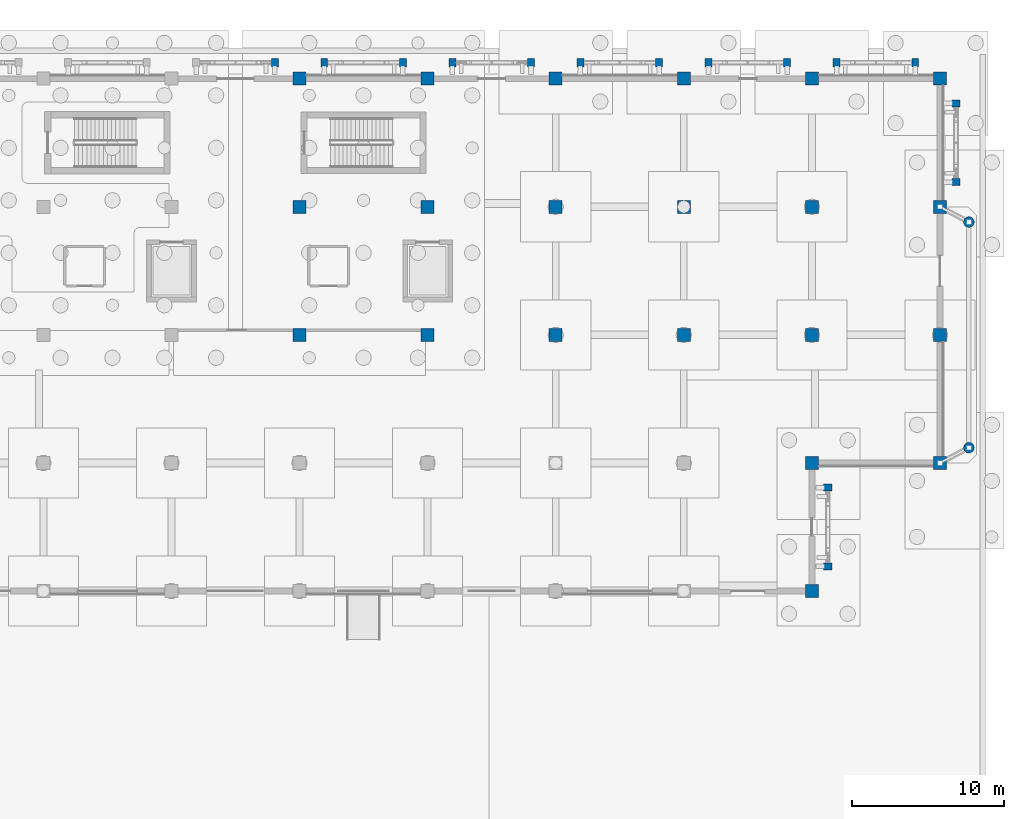
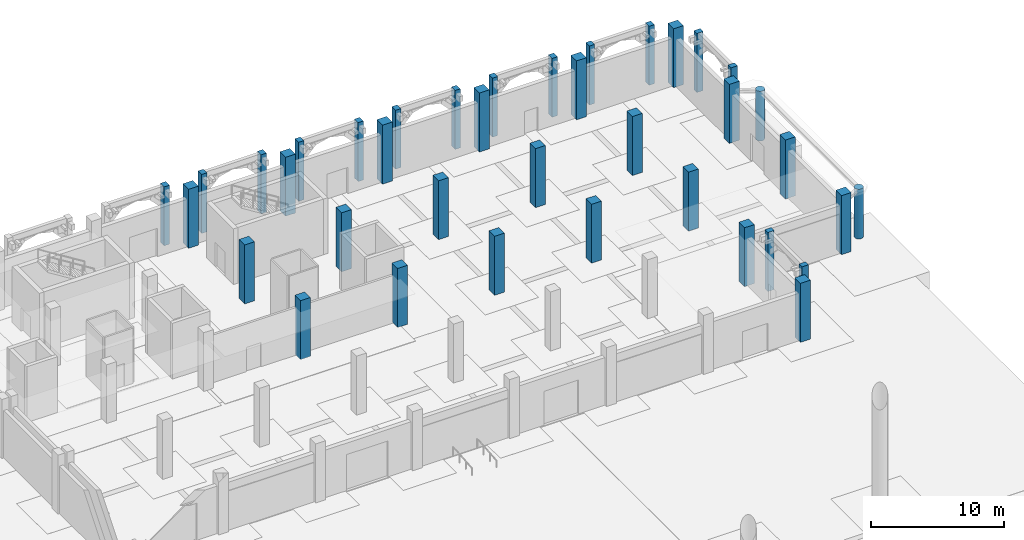
# One storey, part 11 of 98: 38 columns.
"""IFC4 building model written with IfcOpenShell, lengths in metres."""

from ifc_helpers import new_model, si_unit, direction, frame, origin, origin_2d, place, context, subcontext, project, spatial, rectangle, circle, extrude, material, material_profile, profile_set, type_object, element, save


model = new_model("IFC4")

# Units and contexts
model_context = context("Model", 3, precision=1e-05, world=origin(), true_north=direction((0.0, 1.0)))
body_context = subcontext(model_context, "Body", "Model", "MODEL_VIEW")
ifc_project = project(units=[si_unit("LENGTHUNIT", "METRE"), si_unit("AREAUNIT", "SQUARE_METRE"), si_unit("VOLUMEUNIT", "CUBIC_METRE"), si_unit("PLANEANGLEUNIT", "RADIAN"), si_unit("MASSUNIT", "GRAM", prefix="KILO")], contexts=[model_context])

# Site, building, storey
site_placement = place(None, origin())
site = spatial("IfcSite", under=ifc_project, at=site_placement, CompositionType="ELEMENT")
building_placement = place(site_placement, origin())
building = spatial("IfcBuilding", under=site, at=building_placement, Name="Xazarin Passage Department Store", CompositionType="ELEMENT")
storey_placement = place(building_placement, origin())
storey = spatial("IfcBuildingStorey", under=building, at=storey_placement, Name="L00", CompositionType="ELEMENT", Elevation=0.0)

# Columns
ifc_material = material(Name="Concrete C40/50", Category="concrete")
ifc_material_profile_1 = material_profile(ifc_material, circle(Radius=0.35009765625, at=origin_2d()), Name="RCD 700")
ifc_profile_set_1 = profile_set([ifc_material_profile_1], Name="Concrete C40/50")
column_type_1 = type_object("IfcColumnType", Name="STR-COL-CAN700", PredefinedType="COLUMN", material=ifc_profile_set_1)
for number, where, z_axis, x_axis, name in (
    (1, (171.5, 85.800048828125, 0.0), (0.0, 0.0, 1.0), (1.0, 0.0, 0.0), "Entrance Canopy Column CN3-3"),
    (2, (171.5, 100.60009765625, 0.0), (0.0, 0.0, 1.0), (1.0, 0.0, 0.0), "Entrance Canopy Column CN3-4"),
):
    element("IfcColumn", number, at=place(storey_placement, frame(where, z_axis=z_axis, x_axis=x_axis)), inside=storey, type_object=column_type_1, Name=name, PredefinedType="COLUMN", context=body_context, shape_type="SweptSolid", body=[
        extrude(circle(Radius=0.35009765625, at=origin_2d()), origin(), (0.0, 0.0, 1.0), 4.550048828125),
    ])
ifc_material_profile_2 = material_profile(ifc_material, rectangle(XDim=0.85009765625, YDim=0.85009765625, at=origin_2d()), Name="RC 850x850")
ifc_profile_set_2 = profile_set([ifc_material_profile_2], Name="Concrete C40/50")
column_type_2 = type_object("IfcColumnType", Name="STR-COL-RC850", PredefinedType="COLUMN", material=ifc_profile_set_2)
for number, where, z_axis, x_axis, name in (
    (3, (161.199951171875, 76.39990234375, 0.0), (0.0, 0.0, 1.0), (1.0, 0.0, 0.0), "L00 Column 22/L"),
    (4, (161.199951171875, 84.800048828125, 0.0), (0.0, 0.0, 1.0), (1.0, 0.0, 0.0), "L00 Column 22/M"),
    (5, (169.60009765625, 84.800048828125, 0.0), (0.0, 0.0, 1.0), (1.0, 0.0, 0.0), "L00 Column 23/M"),
    (6, (127.60009765625, 93.199951171875, 0.0), (0.0, 0.0, 1.0), (1.0, 0.0, 0.0), "L00 Column 18/N"),
    (7, (136.0, 93.199951171875, 0.0), (0.0, 0.0, 1.0), (1.0, 0.0, 0.0), "L00 Column 19/N"),
    (8, (144.39990234375, 93.199951171875, 0.0), (0.0, 0.0, 1.0), (1.0, 0.0, 0.0), "L00 Column 20/N"),
    (9, (152.800048828125, 93.199951171875, 0.0), (0.0, 0.0, 1.0), (1.0, 0.0, 0.0), "L00 Column 21/N"),
    (10, (161.199951171875, 93.199951171875, 0.0), (0.0, 0.0, 1.0), (1.0, 0.0, 0.0), "L00 Column 22/N"),
    (11, (169.60009765625, 93.199951171875, 0.0), (0.0, 0.0, 1.0), (1.0, 0.0, 0.0), "L00 Column 23/N"),
    (12, (127.60009765625, 101.60009765625, 0.0), (0.0, 0.0, 1.0), (1.0, 0.0, 0.0), "L00 Column 18/P"),
    (13, (136.0, 101.60009765625, 0.0), (0.0, 0.0, 1.0), (1.0, 0.0, 0.0), "L00 Column 19/P"),
    (14, (144.39990234375, 101.60009765625, 0.0), (0.0, 0.0, 1.0), (1.0, 0.0, 0.0), "L00 Column 20/P"),
    (15, (152.800048828125, 101.60009765625, 0.0), (0.0, 0.0, 1.0), (1.0, 0.0, 0.0), "L00 Column 21/P"),
    (16, (161.199951171875, 101.60009765625, 0.0), (0.0, 0.0, 1.0), (1.0, 0.0, 0.0), "L00 Column 22/P"),
    (17, (169.60009765625, 101.60009765625, 0.0), (0.0, 0.0, 1.0), (1.0, 0.0, 0.0), "L00 Column 23/P"),
    (18, (127.60009765625, 110.0, 0.0), (0.0, 0.0, 1.0), (1.0, 0.0, 0.0), "L00 Column 18/Q"),
    (19, (136.0, 110.0, 0.0), (0.0, 0.0, 1.0), (1.0, 0.0, 0.0), "L00 Column 19/Q"),
    (20, (144.39990234375, 110.0, 0.0), (0.0, 0.0, 1.0), (1.0, 0.0, 0.0), "L00 Column 20/Q"),
    (21, (152.800048828125, 110.0, 0.0), (0.0, 0.0, 1.0), (1.0, 0.0, 0.0), "L00 Column 21/Q"),
    (22, (161.199951171875, 110.0, 0.0), (0.0, 0.0, 1.0), (1.0, 0.0, 0.0), "L00 Column 22/Q"),
    (23, (169.60009765625, 110.0, 0.0), (0.0, 0.0, 1.0), (1.0, 0.0, 0.0), "L00 Column 23/Q"),
):
    element("IfcColumn", number, at=place(storey_placement, frame(where, z_axis=z_axis, x_axis=x_axis)), inside=storey, type_object=column_type_2, Name=name, PredefinedType="COLUMN", context=body_context, shape_type="SweptSolid", body=[
        extrude(rectangle(XDim=0.85009765625, YDim=0.85009765625, at=origin_2d()), origin(), (0.0, 0.0, 1.0), 5.39990234375),
    ])
ifc_material_profile_3 = material_profile(ifc_material, rectangle(XDim=0.449951171875, YDim=0.550048828125, at=origin_2d()), Name="RC 450x550")
ifc_profile_set_3 = profile_set([ifc_material_profile_3], Name="Concrete C40/50")
column_type_3 = type_object("IfcColumnType", Name="STR-PIL-RC450", PredefinedType="PILASTER", material=ifc_profile_set_3)
for number, where, z_axis, x_axis, name in (
    (24, (125.97998046875, 111.050048828125, 0.0), (0.0, 0.0, 1.0), (1.0, 0.0, 0.0), "L00 V4 Pierced-Arch Colonnade Pier 042R"),
    (25, (129.219970703125, 111.050048828125, 0.0), (0.0, 0.0, 1.0), (1.0, 0.0, 0.0), "L00 V4 Pierced-Arch Colonnade Pier 043L"),
    (26, (134.3798828125, 111.050048828125, 0.0), (0.0, 0.0, 1.0), (1.0, 0.0, 0.0), "L00 V4 Pierced-Arch Colonnade Pier 043R"),
    (27, (137.6201171875, 111.050048828125, 0.0), (0.0, 0.0, 1.0), (1.0, 0.0, 0.0), "L00 V4 Pierced-Arch Colonnade Pier 044L"),
    (28, (142.780029296875, 111.050048828125, 0.0), (0.0, 0.0, 1.0), (1.0, 0.0, 0.0), "L00 V4 Pierced-Arch Colonnade Pier 044R"),
    (29, (146.02001953125, 111.050048828125, 0.0), (0.0, 0.0, 1.0), (1.0, 0.0, 0.0), "L00 V4 Pierced-Arch Colonnade Pier 045L"),
    (30, (151.179931640625, 111.050048828125, 0.0), (0.0, 0.0, 1.0), (1.0, 0.0, 0.0), "L00 V4 Pierced-Arch Colonnade Pier 045R"),
    (31, (154.419921875, 111.050048828125, 0.0), (0.0, 0.0, 1.0), (1.0, 0.0, 0.0), "L00 V4 Pierced-Arch Colonnade Pier 046L"),
    (32, (159.580078125, 111.050048828125, 0.0), (0.0, 0.0, 1.0), (1.0, 0.0, 0.0), "L00 V4 Pierced-Arch Colonnade Pier 046R"),
    (33, (162.820068359375, 111.050048828125, 0.0), (0.0, 0.0, 1.0), (1.0, 0.0, 0.0), "L00 V4 Pierced-Arch Colonnade Pier 047L"),
    (34, (167.97998046875, 111.050048828125, 0.0), (0.0, 0.0, 1.0), (1.0, 0.0, 0.0), "L00 V4 Pierced-Arch Colonnade Pier 047R"),
    (35, (162.25, 78.02001953125, 0.0), (0.0, 0.0, 1.0), (0.0, 1.0, 0.0), "L00 V4 Pierced-Arch Colonnade Pier 048L"),
    (36, (162.25, 83.179931640625, 0.0), (0.0, 0.0, 1.0), (0.0, 1.0, 0.0), "L00 V4 Pierced-Arch Colonnade Pier 048R"),
    (37, (170.64990234375, 103.219970703125, 0.0), (0.0, 0.0, 1.0), (0.0, 1.0, 0.0), "L00 V4 Pierced-Arch Colonnade Pier 049L"),
    (38, (170.64990234375, 108.3798828125, 0.0), (0.0, 0.0, 1.0), (0.0, 1.0, 0.0), "L00 V4 Pierced-Arch Colonnade Pier 049R"),
):
    element("IfcColumn", number, at=place(storey_placement, frame(where, z_axis=z_axis, x_axis=x_axis)), inside=storey, type_object=column_type_3, Name=name, PredefinedType="PILASTER", context=body_context, shape_type="SweptSolid", body=[
        extrude(rectangle(XDim=0.449951171875, YDim=0.550048828125, at=origin_2d()), origin(), (0.0, 0.0, 1.0), 5.39990234375),
    ])

save(model, "model.ifc")
